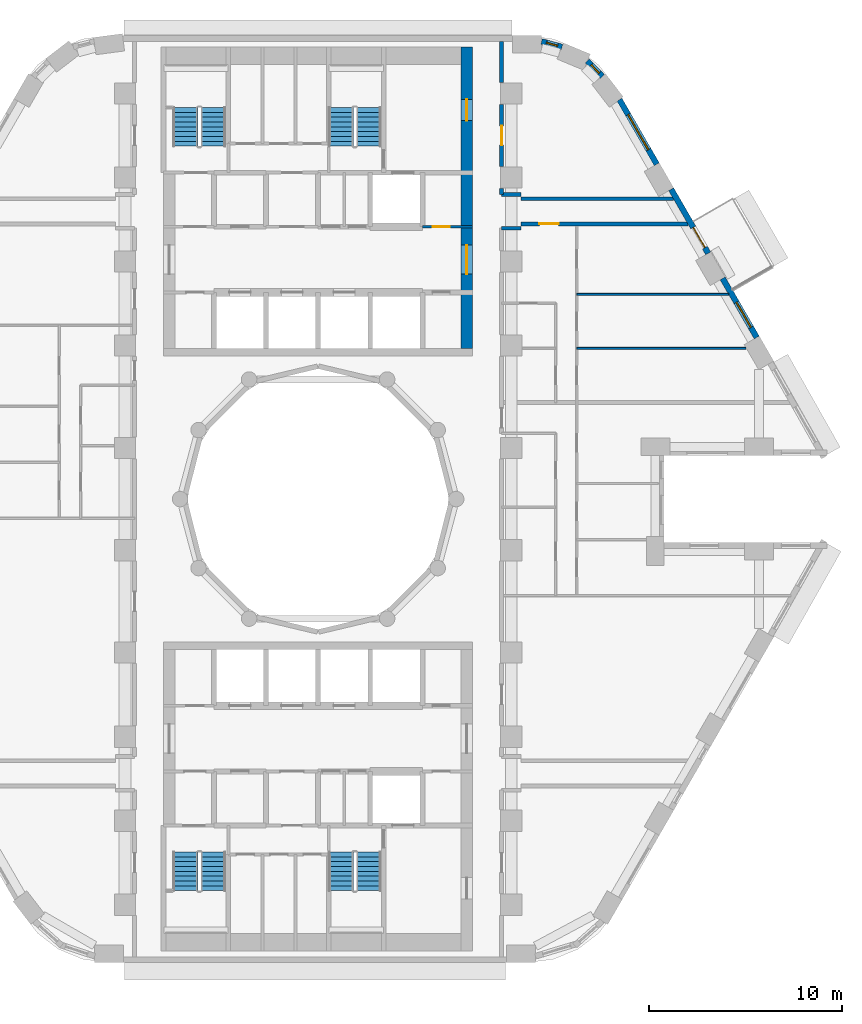
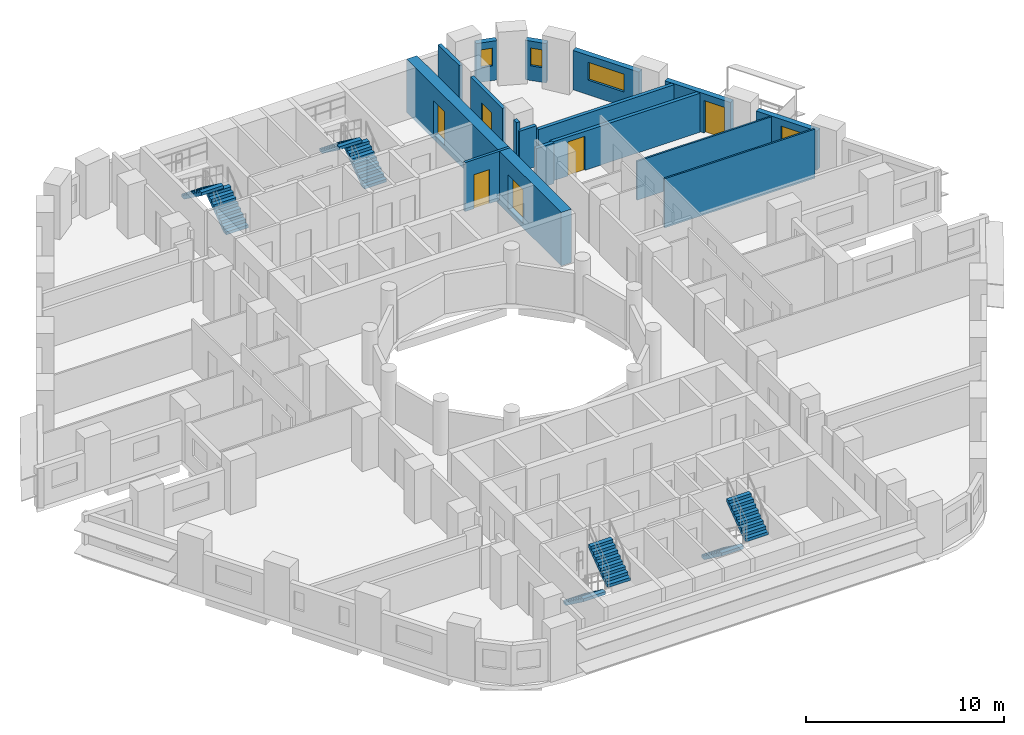
# One storey, part 9 of 13: 16 walls, 8 stair flights, 6 doors, 4 windows, 10 openings, 4 elements without a shape of their own.
"""IFC4 building model written with IfcOpenShell, lengths in metres."""

from ifc_helpers import new_model, si_unit, direction, frame, frame_2d, origin, place, context, subcontext, project, spatial, polyline, rectangle, outline, extrude, material, layer, layer_set, type_object, element, fill, aggregate, save


model = new_model("IFC4")

# Units and contexts
model_context = context("Model", 3, precision=1e-05, world=origin(), true_north=direction((0.0, 1.0)))
body_context = subcontext(model_context, "Body", "Model", "MODEL_VIEW")
ifc_project = project(units=[si_unit("LENGTHUNIT", "METRE"), si_unit("AREAUNIT", "SQUARE_METRE"), si_unit("VOLUMEUNIT", "CUBIC_METRE"), si_unit("PLANEANGLEUNIT", "RADIAN"), si_unit("MASSUNIT", "GRAM", prefix="KILO")], contexts=[model_context])

# Site, building, storey
site_placement = place(None, origin())
site = spatial("IfcSite", under=ifc_project, at=site_placement, CompositionType="ELEMENT")
building_placement = place(site_placement, origin())
building = spatial("IfcBuilding", under=site, at=building_placement, Name="Nakaniwa Court", CompositionType="ELEMENT")
storey_placement = place(building_placement, frame((0.0, 0.0, 64.5)))
storey = spatial("IfcBuildingStorey", under=building, at=storey_placement, Name="L17", CompositionType="ELEMENT", Elevation=64.5)

# Wall
ifc_material_1 = material(Name="Acoustic double stud partition")
ifc_layer_1 = layer(ifc_material_1, 0.199951171875)
ifc_layer_set_1 = layer_set([ifc_layer_1], Name="Acoustic double stud partition")
wall_type_1 = type_object("IfcWallType", Name="Acoustic double stud partition 200", PredefinedType="PARTITIONING", material=ifc_layer_set_1)
wall_1_placement = place(storey_placement, frame((89.5, 95.77197265625, 0.0), z_axis=(0.0, 0.0, 1.0), x_axis=(0.0, 1.0, 0.0)))
element("IfcWall", 1, at=wall_1_placement, inside=storey, type_object=wall_type_1, Name="Partition PW-081", PredefinedType="PARTITIONING", context=body_context, shape_type="SweptSolid", body=[
    extrude(rectangle(XDim=0.31103515625, YDim=0.199951171875, at=frame_2d((0.155517578125, 0.0))), origin(), (0.0, 0.0, 1.0), 3.02490234375),
])

# Wall, opening, door
wall_2_placement = place(storey_placement, frame((89.5, 100.43310546875, 0.0), z_axis=(0.0, 0.0, 1.0), x_axis=(0.0, -1.0, 0.0)))
wall_2 = element("IfcWall", 2, at=wall_2_placement, inside=storey, type_object=wall_type_1, Name="Partition PW-082", PredefinedType="PARTITIONING", context=body_context, shape_type="SweptSolid", body=[
    extrude(rectangle(XDim=3.216064453125, YDim=0.199951171875, at=frame_2d((1.60791015625, 0.0))), origin(), (0.0, 0.0, 1.0), 3.02490234375),
])
opening_1_placement = place(wall_2_placement, frame((1.10791015625, 0.0, 0.0)))
opening_1 = element("IfcOpeningElement", 3, at=opening_1_placement, cuts=wall_2, Name="Opening D-02-03", PredefinedType="OPENING", context=body_context, shape_type="SweptSolid", body=[
    extrude(rectangle(XDim=1.0, YDim=2.10009765625, at=frame_2d((0.5, 1.050048828125))), frame((0.0, 0.10986328125, 0.0), z_axis=(0.0, -1.0, 0.0), x_axis=(1.0, 0.0, 0.0)), (0.0, 0.0, 1.0), 0.219970703125),
])
ifc_material_2 = material(Name="Solid core timber door set, black veneer", Category="wood")
door_type_1 = type_object("IfcDoorType", Name="Internal door 1000", OperationType="NOTDEFINED", PredefinedType="DOOR", material=ifc_material_2)
door_1_placement = place(opening_1_placement, origin())
door_1 = element("IfcDoor", 4, at=door_1_placement, inside=storey, type_object=door_type_1, Name="Door D-02-03 L17-043", OperationType="SINGLE_SWING_RIGHT", OverallHeight=2.10009765625, OverallWidth=1.0, PredefinedType="DOOR", context=body_context, shape_type="SweptSolid", body=[
    extrude(rectangle(XDim=1.0, YDim=2.10009765625, at=frame_2d((0.5, 1.050048828125))), frame((0.0, 0.02490234375, 0.0), z_axis=(0.0, -1.0, 0.0), x_axis=(1.0, 0.0, 0.0)), (0.0, 0.0, 1.0), 0.050048828125),
])
fill(opening_1, door_1)

# Wall
wall_3_placement = place(storey_placement, frame((89.5, 101.56689453125, 0.0), z_axis=(0.0, 0.0, 1.0), x_axis=(0.0, 1.0, 0.0)))
element("IfcWall", 5, at=wall_3_placement, inside=storey, type_object=wall_type_1, Name="Partition PW-083", PredefinedType="PARTITIONING", context=body_context, shape_type="SweptSolid", body=[
    extrude(rectangle(XDim=2.133056640625, YDim=0.199951171875, at=frame_2d((1.06640625, 0.0))), origin(), (0.0, 0.0, 1.0), 3.02490234375),
])

# Wall, opening, door
wall_4_placement = place(storey_placement, frame((99.13916015625, 94.25, 0.0), z_axis=(0.0, 0.0, 1.0), x_axis=(-1.0, 0.0, 0.0)))
wall_4 = element("IfcWall", 6, at=wall_4_placement, inside=storey, type_object=wall_type_1, Name="Partition PW-085", PredefinedType="PARTITIONING", context=body_context, shape_type="SweptSolid", body=[
    extrude(rectangle(XDim=8.63916015625, YDim=0.199951171875, at=frame_2d((4.319580078125, 0.0))), origin(), (0.0, 0.0, 1.0), 2.405029296875),
])
opening_2_placement = place(wall_4_placement, frame((6.68896484375, 0.0, 0.0)))
opening_2 = element("IfcOpeningElement", 7, at=opening_2_placement, cuts=wall_4, Name="Opening D-01-02", PredefinedType="OPENING", context=body_context, shape_type="SweptSolid", body=[
    extrude(rectangle(XDim=1.0, YDim=2.10009765625, at=frame_2d((0.5, 1.050048828125))), frame((0.0, 0.10986328125, 0.0), z_axis=(0.0, -1.0, 0.0), x_axis=(1.0, 0.0, 0.0)), (0.0, 0.0, 1.0), 0.219970703125),
])
door_type_2 = type_object("IfcDoorType", Name="Flat entrance door 1000", OperationType="NOTDEFINED", PredefinedType="DOOR", material=ifc_material_2)
door_2_placement = place(opening_2_placement, origin())
door_2 = element("IfcDoor", 8, at=door_2_placement, inside=storey, type_object=door_type_2, Name="Door D-01-02 L17-037", OperationType="SINGLE_SWING_RIGHT", OverallHeight=2.10009765625, OverallWidth=1.0, PredefinedType="DOOR", context=body_context, shape_type="SweptSolid", body=[
    extrude(rectangle(XDim=1.0, YDim=2.10009765625, at=frame_2d((0.5, 1.050048828125))), frame((0.0, 0.02490234375, 0.0), z_axis=(0.0, -1.0, 0.0), x_axis=(1.0, 0.0, 0.0)), (0.0, 0.0, 1.0), 0.050048828125),
])
fill(opening_2, door_2)

# Walls
for number, where, z_axis, x_axis, name in (
    (9, (89.5, 94.02490234375, 0.0), (0.0, 0.0, 1.0), (1.0, 0.0, 0.0), "Partition PW-087"),
    (10, (89.5, 95.77490234375, 0.0), (0.0, 0.0, 1.0), (1.0, 0.0, 0.0), "Partition PW-089"),
):
    element("IfcWall", number, at=place(storey_placement, frame(where, z_axis=z_axis, x_axis=x_axis)), inside=storey, type_object=wall_type_1, Name=name, PredefinedType="PARTITIONING", context=body_context, shape_type="SweptSolid", body=[
        extrude(rectangle(XDim=1.0, YDim=0.199951171875, at=frame_2d((0.5, 0.0))), origin(), (0.0, 0.0, 1.0), 2.5048828125),
    ])
wall_5_placement = place(storey_placement, frame((90.5, 95.550048828125, 0.0), z_axis=(0.0, 0.0, 1.0), x_axis=(1.0, 0.0, 0.0)))
element("IfcWall", 11, at=wall_5_placement, inside=storey, type_object=wall_type_1, Name="Partition PW-091", PredefinedType="PARTITIONING", context=body_context, shape_type="SweptSolid", body=[
    extrude(rectangle(XDim=7.888671875, YDim=0.199951171875, at=frame_2d((3.9443359375, 0.0))), origin(), (0.0, 0.0, 1.0), 2.405029296875),
])

# Wall, opening, window
ifc_material_3 = material(Name="Charcoal ceramic cladding")
ifc_layer_2 = layer(ifc_material_3, 0.02, Name="Ceramic cladding")
ifc_material_4 = material(Name="Ventilated air cavity")
ifc_layer_3 = layer(ifc_material_4, 0.04, ventilated=True, Name="Ventilated cavity")
ifc_material_5 = material(Name="Mineral wool insulation")
ifc_layer_4 = layer(ifc_material_5, 0.1, Name="Insulation")
ifc_material_6 = material(Name="Cement bonded sheathing board")
ifc_layer_5 = layer(ifc_material_6, 0.012, Name="Sheathing")
ifc_material_7 = material(Name="Cold-formed galvanised stud frame with mineral wool infill")
ifc_layer_6 = layer(ifc_material_7, 0.1, Name="Stud frame")
ifc_material_8 = material(Name="Fire-rated gypsum plasterboard lining")
ifc_layer_7 = layer(ifc_material_8, 0.028, Name="Lining")
ifc_layer_set_2 = layer_set([ifc_layer_2, ifc_layer_3, ifc_layer_4, ifc_layer_5, ifc_layer_6, ifc_layer_7], Name="Charcoal ceramic faced external wall system")
wall_type_2 = type_object("IfcWallType", Name="Black ceramic faced external wall 300", PredefinedType="SOLIDWALL", material=ifc_layer_set_2)
wall_6_placement = place(storey_placement, frame((102.709716796875, 88.36572265625, 0.0), z_axis=(0.0, 0.0, 1.0), x_axis=(-0.499977402622, 0.866038449993, 0.0)))
wall_6 = element("IfcWall", 12, at=wall_6_placement, inside=storey, type_object=wall_type_2, Name="L17 external wall 03", PredefinedType="SOLIDWALL", context=body_context, shape_type="SweptSolid", body=[
    extrude(rectangle(XDim=3.536865234375, YDim=0.300048828125, at=frame_2d((1.7685546875, 0.0))), origin(), (0.0, 0.0, 1.0), 2.425048828125),
])
opening_3_placement = place(wall_6_placement, frame((0.60107421875, 0.0, 0.89990234375)))
opening_3 = element("IfcOpeningElement", 13, at=opening_3_placement, cuts=wall_6, Name="Opening W5.05", PredefinedType="OPENING", context=body_context, shape_type="SweptSolid", body=[
    extrude(rectangle(XDim=1.5, YDim=1.10009765625, at=frame_2d((0.75, 0.550048828125))), frame((0.0, 0.159912109375, 0.0), z_axis=(0.0, -1.0, 0.0), x_axis=(1.0, 0.0, 0.0)), (0.0, 0.0, 1.0), 0.320068359375),
])
ifc_material_9 = material(Name="Black anodised aluminium frame with dark low-E laminated double glazing", Category="aluminium")
window_type_1 = type_object("IfcWindowType", Name="Dark glass window 1500x1100 sill 900", PartitioningType="SINGLE_PANEL", PredefinedType="WINDOW", material=ifc_material_9)
window_1_placement = place(opening_3_placement, origin())
window_1 = element("IfcWindow", 14, at=window_1_placement, inside=storey, type_object=window_type_1, Name="L17 bedroom window 03-0", OverallHeight=1.10009765625, OverallWidth=1.5, PartitioningType="SINGLE_PANEL", PredefinedType="WINDOW", context=body_context, shape_type="SweptSolid", body=[
    extrude(rectangle(XDim=1.5, YDim=1.10009765625, at=frame_2d((0.75, 0.550048828125))), frame((0.0, 0.030029296875, 0.0), z_axis=(0.0, -1.0, 0.0), x_axis=(1.0, 0.0, 0.0)), (0.0, 0.0, 1.0), 0.06005859375),
])
fill(opening_3, window_1)

# Wall, opening, door
wall_7_placement = place(storey_placement, frame((100.1953125, 92.720703125, 0.0), z_axis=(0.0, 0.0, 1.0), x_axis=(-0.500001735503, 0.866024401789, 0.0)))
wall_7 = element("IfcWall", 15, at=wall_7_placement, inside=storey, type_object=wall_type_2, Name="L17 external wall 04", PredefinedType="SOLIDWALL", context=body_context, shape_type="SweptSolid", body=[
    extrude(rectangle(XDim=3.833984375, YDim=0.300048828125, at=frame_2d((1.9169921875, 0.0))), origin(), (0.0, 0.0, 1.0), 2.425048828125),
])
opening_4_placement = place(wall_7_placement, frame((0.343994140625, 0.0, 0.0)))
opening_4 = element("IfcOpeningElement", 16, at=opening_4_placement, cuts=wall_7, Name="Opening XD10.01", PredefinedType="OPENING", context=body_context, shape_type="SweptSolid", body=[
    extrude(rectangle(XDim=1.199951171875, YDim=2.0, at=frame_2d((0.60009765625, 1.0))), frame((0.0, 0.159912109375, 0.0), z_axis=(0.0, -1.0, 0.0), x_axis=(1.0, 0.0, 0.0)), (0.0, 0.0, 1.0), 0.320068359375),
])
ifc_material_10 = material(Name="Black powder-coated aluminium frame with dark laminated glass", Category="aluminium")
door_type_3 = type_object("IfcDoorType", Name="Balcony sliding door 1200x2000", OperationType="SLIDING_TO_LEFT", PredefinedType="DOOR", material=ifc_material_10)
door_3_placement = place(opening_4_placement, origin())
door_3 = element("IfcDoor", 17, at=door_3_placement, inside=storey, type_object=door_type_3, Name="L17 balcony sliding door 01", OperationType="SLIDING_TO_LEFT", OverallHeight=2.0, OverallWidth=1.199951171875, PredefinedType="DOOR", context=body_context, shape_type="SweptSolid", body=[
    extrude(rectangle(XDim=1.199951171875, YDim=2.0, at=frame_2d((0.60009765625, 1.0))), frame((0.0, 0.02490234375, 0.0), z_axis=(0.0, -1.0, 0.0), x_axis=(1.0, 0.0, 0.0)), (0.0, 0.0, 1.0), 0.050048828125),
])
fill(opening_4, door_3)

# Wall, opening, window
wall_8_placement = place(storey_placement, frame((97.5322265625, 97.3330078125, 0.0), z_axis=(0.0, 0.0, 1.0), x_axis=(-0.499948341072, 0.866055227026, 0.0)))
wall_8 = element("IfcWall", 18, at=wall_8_placement, inside=storey, type_object=wall_type_2, Name="L17 external wall 05", PredefinedType="SOLIDWALL", context=body_context, shape_type="SweptSolid", body=[
    extrude(rectangle(XDim=3.8671875, YDim=0.300048828125, at=frame_2d((1.93359375, 0.0))), origin(), (0.0, 0.0, 1.0), 2.425048828125),
])
opening_5_placement = place(wall_8_placement, frame((0.872314453125, 0.0, 0.89990234375)))
opening_5 = element("IfcOpeningElement", 19, at=opening_5_placement, cuts=wall_8, Name="Opening W7.06", PredefinedType="OPENING", context=body_context, shape_type="SweptSolid", body=[
    extrude(rectangle(XDim=2.10009765625, YDim=1.10009765625, at=frame_2d((1.050048828125, 0.550048828125))), frame((0.0, 0.159912109375, 0.0), z_axis=(0.0, -1.0, 0.0), x_axis=(1.0, 0.0, 0.0)), (0.0, 0.0, 1.0), 0.320068359375),
])
window_type_2 = type_object("IfcWindowType", Name="Dark glass window 2100x1100 sill 900", PartitioningType="SINGLE_PANEL", PredefinedType="WINDOW", material=ifc_material_9)
window_2_placement = place(opening_5_placement, origin())
window_2 = element("IfcWindow", 20, at=window_2_placement, inside=storey, type_object=window_type_2, Name="L17 habitable room window 05-0", OverallHeight=1.10009765625, OverallWidth=2.10009765625, PartitioningType="SINGLE_PANEL", PredefinedType="WINDOW", context=body_context, shape_type="SweptSolid", body=[
    extrude(rectangle(XDim=2.10009765625, YDim=1.10009765625, at=frame_2d((1.050048828125, 0.550048828125))), frame((0.0, 0.030029296875, 0.0), z_axis=(0.0, -1.0, 0.0), x_axis=(1.0, 0.0, 0.0)), (0.0, 0.0, 1.0), 0.06005859375),
])
fill(opening_5, window_2)

wall_9_placement = place(storey_placement, frame((94.712646484375, 101.8828125, 0.0), z_axis=(0.0, 0.0, 1.0), x_axis=(-0.696138968055, 0.717907053285, 0.0)))
wall_9 = element("IfcWall", 21, at=wall_9_placement, inside=storey, type_object=wall_type_2, Name="L17 external wall 06", PredefinedType="SOLIDWALL", context=body_context, shape_type="SweptSolid", body=[
    extrude(rectangle(XDim=1.1103515625, YDim=0.300048828125, at=frame_2d((0.55517578125, 0.0))), origin(), (0.0, 0.0, 1.0), 2.425048828125),
])
opening_6_placement = place(wall_9_placement, frame((0.230712890625, 0.0, 0.89990234375)))
opening_6 = element("IfcOpeningElement", 22, at=opening_6_placement, cuts=wall_9, Name="Opening W8.07", PredefinedType="OPENING", context=body_context, shape_type="SweptSolid", body=[
    extrude(rectangle(XDim=0.60009765625, YDim=1.10009765625, at=frame_2d((0.300048828125, 0.550048828125))), frame((0.0, 0.159912109375, 0.0), z_axis=(0.0, -1.0, 0.0), x_axis=(1.0, 0.0, 0.0)), (0.0, 0.0, 1.0), 0.320068359375),
])
window_type_3 = type_object("IfcWindowType", Name="Dark glass window 600x1100 sill 900", PartitioningType="SINGLE_PANEL", PredefinedType="WINDOW", material=ifc_material_9)
window_3_placement = place(opening_6_placement, origin())
window_3 = element("IfcWindow", 23, at=window_3_placement, inside=storey, type_object=window_type_3, Name="L17 habitable room window 06-0", OverallHeight=1.10009765625, OverallWidth=0.60009765625, PartitioningType="SINGLE_PANEL", PredefinedType="WINDOW", context=body_context, shape_type="SweptSolid", body=[
    extrude(rectangle(XDim=0.60009765625, YDim=1.10009765625, at=frame_2d((0.300048828125, 0.550048828125))), frame((0.0, 0.030029296875, 0.0), z_axis=(0.0, -1.0, 0.0), x_axis=(1.0, 0.0, 0.0)), (0.0, 0.0, 1.0), 0.06005859375),
])
fill(opening_6, window_3)

wall_10_placement = place(storey_placement, frame((92.62548828125, 103.406982421875, 0.0), z_axis=(0.0, 0.0, 1.0), x_axis=(-0.96522637192, 0.261415475728, 0.0)))
wall_10 = element("IfcWall", 24, at=wall_10_placement, inside=storey, type_object=wall_type_2, Name="L17 external wall 07", PredefinedType="SOLIDWALL", context=body_context, shape_type="SweptSolid", body=[
    extrude(rectangle(XDim=1.0927734375, YDim=0.300048828125, at=frame_2d((0.54638671875, 0.0))), origin(), (0.0, 0.0, 1.0), 2.425048828125),
])
opening_7_placement = place(wall_10_placement, frame((0.236083984375, 0.0, 0.89990234375)))
opening_7 = element("IfcOpeningElement", 25, at=opening_7_placement, cuts=wall_10, Name="Opening W8.08", PredefinedType="OPENING", context=body_context, shape_type="SweptSolid", body=[
    extrude(rectangle(XDim=0.60009765625, YDim=1.10009765625, at=frame_2d((0.300048828125, 0.550048828125))), frame((0.0, 0.159912109375, 0.0), z_axis=(0.0, -1.0, 0.0), x_axis=(1.0, 0.0, 0.0)), (0.0, 0.0, 1.0), 0.320068359375),
])
window_4_placement = place(opening_7_placement, origin())
window_4 = element("IfcWindow", 26, at=window_4_placement, inside=storey, type_object=window_type_3, Name="L17 habitable room window 07-0", OverallHeight=1.10009765625, OverallWidth=0.60009765625, PartitioningType="SINGLE_PANEL", PredefinedType="WINDOW", context=body_context, shape_type="SweptSolid", body=[
    extrude(rectangle(XDim=0.60009765625, YDim=1.10009765625, at=frame_2d((0.300048828125, 0.550048828125))), frame((0.0, 0.030029296875, 0.0), z_axis=(0.0, -1.0, 0.0), x_axis=(1.0, 0.0, 0.0)), (0.0, 0.0, 1.0), 0.06005859375),
])
fill(opening_7, window_4)

# Wall, opening, door
ifc_material_11 = material(Name="Blockwork partition", Category="masonry")
ifc_layer_8 = layer(ifc_material_11, 0.14990234375)
ifc_layer_set_3 = layer_set([ifc_layer_8], Name="Blockwork partition")
wall_type_3 = type_object("IfcWallType", Name="Blockwork partition 150", PredefinedType="PARTITIONING", material=ifc_layer_set_3)
wall_11_placement = place(storey_placement, frame((85.39697265625, 94.10009765625, 0.0), z_axis=(0.0, 0.0, 1.0), x_axis=(1.0, 0.0, 0.0)))
wall_11 = element("IfcWall", 27, at=wall_11_placement, inside=storey, type_object=wall_type_3, Name="Partition PW-018", PredefinedType="PARTITIONING", context=body_context, shape_type="SweptSolid", body=[
    extrude(rectangle(XDim=2.60302734375, YDim=0.14990234375, at=frame_2d((1.301513671875, 0.0))), origin(), (0.0, 0.0, 1.0), 3.02490234375),
])
opening_8_placement = place(wall_11_placement, frame((0.528076171875, 0.0, 0.0)))
opening_8 = element("IfcOpeningElement", 28, at=opening_8_placement, cuts=wall_11, Name="Opening D-05-06", PredefinedType="OPENING", context=body_context, shape_type="SweptSolid", body=[
    extrude(rectangle(XDim=0.89990234375, YDim=2.10009765625, at=frame_2d((0.449951171875, 1.050048828125))), frame((0.0, 0.0849609375, 0.0), z_axis=(0.0, -1.0, 0.0), x_axis=(1.0, 0.0, 0.0)), (0.0, 0.0, 1.0), 0.169921875),
])
ifc_material_12 = material(Name="Fire rated steel door set", Category="steel")
door_type_4 = type_object("IfcDoorType", Name="Service room door 900", OperationType="NOTDEFINED", PredefinedType="DOOR", material=ifc_material_12)
door_4_placement = place(opening_8_placement, origin())
door_4 = element("IfcDoor", 29, at=door_4_placement, inside=storey, type_object=door_type_4, Name="Door D-05-06 L17-008", OperationType="SINGLE_SWING_LEFT", OverallHeight=2.10009765625, OverallWidth=0.89990234375, PredefinedType="DOOR", context=body_context, shape_type="SweptSolid", body=[
    extrude(rectangle(XDim=0.89990234375, YDim=2.10009765625, at=frame_2d((0.449951171875, 1.050048828125))), frame((0.0, 0.02490234375, 0.0), z_axis=(0.0, -1.0, 0.0), x_axis=(1.0, 0.0, 0.0)), (0.0, 0.0, 1.0), 0.050048828125),
])
fill(opening_8, door_4)

# Wall, openings, doors
ifc_material_13 = material(Name="Concrete C100/115", Category="concrete")
ifc_layer_9 = layer(ifc_material_13, 0.60009765625)
ifc_layer_set_4 = layer_set([ifc_layer_9], Name="Concrete C100/115")
wall_type_4 = type_object("IfcWallType", Name="Concrete core side wall 600 C100", PredefinedType="SHEAR", material=ifc_layer_set_4)
wall_12_placement = place(storey_placement, frame((87.699951171875, 103.39990234375, -0.27490234375), z_axis=(0.0, 0.0, 1.0), x_axis=(0.0, -1.0, 0.0)))
wall_12 = element("IfcWall", 30, at=wall_12_placement, inside=storey, type_object=wall_type_4, Name="Core wall SW-15", PredefinedType="SHEAR", context=body_context, shape_type="SweptSolid", body=[
    extrude(rectangle(XDim=15.599853515625, YDim=0.60009765625, at=frame_2d((7.7998046875, 0.0))), origin(), (0.0, 0.0, 1.0), 3.2998046875),
])
opening_9_placement = place(wall_12_placement, frame((10.25, 0.0, 0.27490234375)))
opening_9 = element("IfcOpeningElement", 31, at=opening_9_placement, cuts=wall_12, Name="Opening D-07-01", PredefinedType="OPENING", context=body_context, shape_type="SweptSolid", body=[
    extrude(rectangle(XDim=1.5, YDim=2.10009765625, at=frame_2d((0.75, 1.050048828125))), frame((0.0, 0.31005859375, 0.0), z_axis=(0.0, -1.0, 0.0), x_axis=(1.0, 0.0, 0.0)), (0.0, 0.0, 1.0), 0.6201171875),
])
opening_10_placement = place(wall_12_placement, frame((2.699951171875, 0.0, 0.27490234375)))
opening_10 = element("IfcOpeningElement", 32, at=opening_10_placement, cuts=wall_12, Name="Opening D-10-01", PredefinedType="OPENING", context=body_context, shape_type="SweptSolid", body=[
    extrude(rectangle(XDim=1.10009765625, YDim=2.10009765625, at=frame_2d((0.550048828125, 1.050048828125))), frame((0.0, 0.31005859375, 0.0), z_axis=(0.0, -1.0, 0.0), x_axis=(1.0, 0.0, 0.0)), (0.0, 0.0, 1.0), 0.6201171875),
])
door_type_5 = type_object("IfcDoorType", Name="Firefighting lobby door 1100", OperationType="NOTDEFINED", PredefinedType="DOOR", material=ifc_material_12)
door_5_placement = place(opening_10_placement, origin())
door_5 = element("IfcDoor", 33, at=door_5_placement, inside=storey, type_object=door_type_5, Name="Door D-10-01 L17-056", OperationType="SINGLE_SWING_LEFT", OverallHeight=2.10009765625, OverallWidth=1.10009765625, PredefinedType="DOOR", context=body_context, shape_type="SweptSolid", body=[
    extrude(rectangle(XDim=1.10009765625, YDim=2.10009765625, at=frame_2d((0.550048828125, 1.050048828125))), frame((0.0, 0.02490234375, 0.0), z_axis=(0.0, -1.0, 0.0), x_axis=(1.0, 0.0, 0.0)), (0.0, 0.0, 1.0), 0.050048828125),
])
fill(opening_10, door_5)
ifc_material_14 = material(Name="Glazed fire rated steel double door set", Category="steel")
door_type_6 = type_object("IfcDoorType", Name="Lobby double door 1500", OperationType="NOTDEFINED", PredefinedType="DOOR", material=ifc_material_14)
door_6_placement = place(opening_9_placement, origin())
door_6 = element("IfcDoor", 34, at=door_6_placement, inside=storey, type_object=door_type_6, Name="Door D-07-01 L17-054", OperationType="DOUBLE_DOOR_SINGLE_SWING", OverallHeight=2.10009765625, OverallWidth=1.5, PredefinedType="DOOR", context=body_context, shape_type="SweptSolid", body=[
    extrude(rectangle(XDim=1.5, YDim=2.10009765625, at=frame_2d((0.75, 1.050048828125))), frame((0.0, 0.02490234375, 0.0), z_axis=(0.0, -1.0, 0.0), x_axis=(1.0, 0.0, 0.0)), (0.0, 0.0, 1.0), 0.050048828125),
])
fill(opening_9, door_6)

# Walls
ifc_material_15 = material(Name="Single stud plasterboard partition")
ifc_layer_10 = layer(ifc_material_15, 0.10009765625)
ifc_layer_set_5 = layer_set([ifc_layer_10], Name="Single stud plasterboard partition")
wall_type_5 = type_object("IfcWallType", Name="Single stud plasterboard partition 100", PredefinedType="PARTITIONING", material=ifc_layer_set_5)
wall_13_placement = place(storey_placement, frame((93.39990234375, 87.800048828125, 0.0), z_axis=(0.0, 0.0, 1.0), x_axis=(1.0, 0.0, 0.0)))
element("IfcWall", 35, at=wall_13_placement, inside=storey, type_object=wall_type_5, Name="Partition PW-124", PredefinedType="PARTITIONING", context=body_context, shape_type="SweptSolid", body=[
    extrude(rectangle(XDim=8.747314453125, YDim=0.10009765625, at=frame_2d((4.37353515625, 0.0))), origin(), (0.0, 0.0, 1.0), 3.02490234375),
])
wall_14_placement = place(storey_placement, frame((93.39990234375, 90.60009765625, 0.0), z_axis=(0.0, 0.0, 1.0), x_axis=(1.0, 0.0, 0.0)))
element("IfcWall", 36, at=wall_14_placement, inside=storey, type_object=wall_type_5, Name="Partition PW-125", PredefinedType="PARTITIONING", context=body_context, shape_type="SweptSolid", body=[
    extrude(rectangle(XDim=7.846435546875, YDim=0.10009765625, at=frame_2d((3.92333984375, 0.0))), origin(), (0.0, 0.0, 1.0), 2.405029296875),
])

# Stair, stair flights
ifc_material_16 = material(Name="Concrete C80/100", Category="concrete")
stair_type = type_object("IfcStairType", Name="Dog leg stair 1300 wide 18 risers", PredefinedType="HALF_TURN_STAIR", material=ifc_material_16)
stair_1_placement = place(storey_placement, origin())
stair_1 = element("IfcStair", 37, at=stair_1_placement, inside=storey, type_object=stair_type, Name="L17 Stair ST1", PredefinedType="HALF_TURN_STAIR")
stair_flight_type = type_object("IfcStairFlightType", Name="Stair flight 1300 wide 9 risers", PredefinedType="STRAIGHT", material=ifc_material_16)
stair_flight_1_placement = place(storey_placement, frame((74.574951171875, 98.27490234375, 0.0), z_axis=(0.0, 0.0, 1.0), x_axis=(0.0, 1.0, 0.0)))
stair_flight_1 = element("IfcStairFlight", 38, at=stair_flight_1_placement, type_object=stair_flight_type, Name="ST1 flight 1", NumberOfRisers=9, NumberOfTreads=8, PredefinedType="STRAIGHT", RiserHeight=0.183333333, TreadLength=0.25, context=body_context, shape_type="SweptSolid", body=[
    extrude(outline(polyline([(0.0, 0.0), (0.0, 0.026123046875), (0.0, 0.052490234375), (0.0, 0.07861328125), (0.0, 0.104736328125), (0.0, 0.130859375), (0.0, 0.1572265625), (0.0, 0.183349609375), (0.25, 0.183349609375), (0.25, 0.36669921875), (0.5, 0.36669921875), (0.5, 0.550048828125), (0.75, 0.550048828125), (0.75, 0.7333984375), (1.0, 0.7333984375), (1.0, 0.916748046875), (1.25, 0.916748046875), (1.25, 1.10009765625), (1.5, 1.10009765625), (1.5, 1.283447265625), (1.75, 1.283447265625), (1.75, 1.466552734375), (2.0, 1.466552734375), (2.0, 1.64990234375), (2.0, 1.59716796875), (2.0, 1.54443359375), (2.0, 1.49169921875), (2.0, 1.43896484375), (2.0, 1.38623046875), (2.0, 1.33349609375), (2.0, 1.28076171875), (0.25341796875, 0.0), (0.0, 0.0)])), frame((0.0, 0.64990234375, 0.0), z_axis=(0.0, -1.0, 0.0), x_axis=(1.0, 0.0, 0.0)), (0.0, 0.0, 1.0), 1.300048828125),
])
stair_flight_2_placement = place(storey_placement, frame((73.125, 100.27490234375, 1.64990234375), z_axis=(0.0, 0.0, 1.0), x_axis=(0.0, -1.0, 0.0)))
stair_flight_2 = element("IfcStairFlight", 39, at=stair_flight_2_placement, type_object=stair_flight_type, Name="ST1 flight 2", NumberOfRisers=9, NumberOfTreads=8, PredefinedType="STRAIGHT", RiserHeight=0.183333333, TreadLength=0.25, context=body_context, shape_type="SweptSolid", body=[
    extrude(outline(polyline([(0.0, 0.0), (0.0, 0.026123046875), (0.0, 0.052490234375), (0.0, 0.07861328125), (0.0, 0.104736328125), (0.0, 0.130859375), (0.0, 0.1572265625), (0.0, 0.183349609375), (0.25, 0.183349609375), (0.25, 0.36669921875), (0.5, 0.36669921875), (0.5, 0.550048828125), (0.75, 0.550048828125), (0.75, 0.7333984375), (1.0, 0.7333984375), (1.0, 0.916748046875), (1.25, 0.916748046875), (1.25, 1.10009765625), (1.5, 1.10009765625), (1.5, 1.283447265625), (1.75, 1.283447265625), (1.75, 1.466552734375), (2.0, 1.466552734375), (2.0, 1.64990234375), (2.0, 1.59716796875), (2.0, 1.54443359375), (2.0, 1.49169921875), (2.0, 1.43896484375), (2.0, 1.38623046875), (2.0, 1.33349609375), (2.0, 1.28076171875), (0.25341796875, 0.0), (0.0, 0.0)])), frame((0.0, 0.64990234375, 0.0), z_axis=(0.0, -1.0, 0.0), x_axis=(1.0, 0.0, 0.0)), (0.0, 0.0, 1.0), 1.300048828125),
])
aggregate(stair_1, [stair_flight_1, stair_flight_2])

stair_2_placement = place(storey_placement, origin())
stair_2 = element("IfcStair", 40, at=stair_2_placement, inside=storey, type_object=stair_type, Name="L17 Stair ST2", PredefinedType="HALF_TURN_STAIR")
stair_flight_3_placement = place(storey_placement, frame((82.625, 98.27490234375, 0.0), z_axis=(0.0, 0.0, 1.0), x_axis=(0.0, 1.0, 0.0)))
stair_flight_3 = element("IfcStairFlight", 41, at=stair_flight_3_placement, type_object=stair_flight_type, Name="ST2 flight 1", NumberOfRisers=9, NumberOfTreads=8, PredefinedType="STRAIGHT", RiserHeight=0.183333333, TreadLength=0.25, context=body_context, shape_type="SweptSolid", body=[
    extrude(outline(polyline([(0.0, 0.0), (0.0, 0.026123046875), (0.0, 0.052490234375), (0.0, 0.07861328125), (0.0, 0.104736328125), (0.0, 0.130859375), (0.0, 0.1572265625), (0.0, 0.183349609375), (0.25, 0.183349609375), (0.25, 0.36669921875), (0.5, 0.36669921875), (0.5, 0.550048828125), (0.75, 0.550048828125), (0.75, 0.7333984375), (1.0, 0.7333984375), (1.0, 0.916748046875), (1.25, 0.916748046875), (1.25, 1.10009765625), (1.5, 1.10009765625), (1.5, 1.283447265625), (1.75, 1.283447265625), (1.75, 1.466552734375), (2.0, 1.466552734375), (2.0, 1.64990234375), (2.0, 1.59716796875), (2.0, 1.54443359375), (2.0, 1.49169921875), (2.0, 1.43896484375), (2.0, 1.38623046875), (2.0, 1.33349609375), (2.0, 1.28076171875), (0.25341796875, 0.0), (0.0, 0.0)])), frame((0.0, 0.64990234375, 0.0), z_axis=(0.0, -1.0, 0.0), x_axis=(1.0, 0.0, 0.0)), (0.0, 0.0, 1.0), 1.300048828125),
])
stair_flight_4_placement = place(storey_placement, frame((81.175048828125, 100.27490234375, 1.64990234375), z_axis=(0.0, 0.0, 1.0), x_axis=(0.0, -1.0, 0.0)))
stair_flight_4 = element("IfcStairFlight", 42, at=stair_flight_4_placement, type_object=stair_flight_type, Name="ST2 flight 2", NumberOfRisers=9, NumberOfTreads=8, PredefinedType="STRAIGHT", RiserHeight=0.183333333, TreadLength=0.25, context=body_context, shape_type="SweptSolid", body=[
    extrude(outline(polyline([(0.0, 0.0), (0.0, 0.026123046875), (0.0, 0.052490234375), (0.0, 0.07861328125), (0.0, 0.104736328125), (0.0, 0.130859375), (0.0, 0.1572265625), (0.0, 0.183349609375), (0.25, 0.183349609375), (0.25, 0.36669921875), (0.5, 0.36669921875), (0.5, 0.550048828125), (0.75, 0.550048828125), (0.75, 0.7333984375), (1.0, 0.7333984375), (1.0, 0.916748046875), (1.25, 0.916748046875), (1.25, 1.10009765625), (1.5, 1.10009765625), (1.5, 1.283447265625), (1.75, 1.283447265625), (1.75, 1.466552734375), (2.0, 1.466552734375), (2.0, 1.64990234375), (2.0, 1.59716796875), (2.0, 1.54443359375), (2.0, 1.49169921875), (2.0, 1.43896484375), (2.0, 1.38623046875), (2.0, 1.33349609375), (2.0, 1.28076171875), (0.25341796875, 0.0), (0.0, 0.0)])), frame((0.0, 0.64990234375, 0.0), z_axis=(0.0, -1.0, 0.0), x_axis=(1.0, 0.0, 0.0)), (0.0, 0.0, 1.0), 1.300048828125),
])
aggregate(stair_2, [stair_flight_3, stair_flight_4])

stair_3_placement = place(storey_placement, origin())
stair_3 = element("IfcStair", 43, at=stair_3_placement, inside=storey, type_object=stair_type, Name="L17 Stair ST3", PredefinedType="HALF_TURN_STAIR")
stair_flight_5_placement = place(storey_placement, frame((73.125, 61.72509765625, 0.0), z_axis=(0.0, 0.0, 1.0), x_axis=(0.0, -1.0, 0.0)))
stair_flight_5 = element("IfcStairFlight", 44, at=stair_flight_5_placement, type_object=stair_flight_type, Name="ST3 flight 1", NumberOfRisers=9, NumberOfTreads=8, PredefinedType="STRAIGHT", RiserHeight=0.183333333, TreadLength=0.25, context=body_context, shape_type="SweptSolid", body=[
    extrude(outline(polyline([(0.0, 0.0), (0.0, 0.026123046875), (0.0, 0.052490234375), (0.0, 0.07861328125), (0.0, 0.104736328125), (0.0, 0.130859375), (0.0, 0.1572265625), (0.0, 0.183349609375), (0.25, 0.183349609375), (0.25, 0.36669921875), (0.5, 0.36669921875), (0.5, 0.550048828125), (0.75, 0.550048828125), (0.75, 0.7333984375), (1.0, 0.7333984375), (1.0, 0.916748046875), (1.25, 0.916748046875), (1.25, 1.10009765625), (1.5, 1.10009765625), (1.5, 1.283447265625), (1.75, 1.283447265625), (1.75, 1.466552734375), (2.0, 1.466552734375), (2.0, 1.64990234375), (2.0, 1.59716796875), (2.0, 1.54443359375), (2.0, 1.49169921875), (2.0, 1.43896484375), (2.0, 1.38623046875), (2.0, 1.33349609375), (2.0, 1.28076171875), (0.25341796875, 0.0), (0.0, 0.0)])), frame((0.0, 0.64990234375, 0.0), z_axis=(0.0, -1.0, 0.0), x_axis=(1.0, 0.0, 0.0)), (0.0, 0.0, 1.0), 1.300048828125),
])
stair_flight_6_placement = place(storey_placement, frame((74.574951171875, 59.72509765625, 1.64990234375), z_axis=(0.0, 0.0, 1.0), x_axis=(0.0, 1.0, 0.0)))
stair_flight_6 = element("IfcStairFlight", 45, at=stair_flight_6_placement, type_object=stair_flight_type, Name="ST3 flight 2", NumberOfRisers=9, NumberOfTreads=8, PredefinedType="STRAIGHT", RiserHeight=0.183333333, TreadLength=0.25, context=body_context, shape_type="SweptSolid", body=[
    extrude(outline(polyline([(0.0, 0.0), (0.0, 0.026123046875), (0.0, 0.052490234375), (0.0, 0.07861328125), (0.0, 0.104736328125), (0.0, 0.130859375), (0.0, 0.1572265625), (0.0, 0.183349609375), (0.25, 0.183349609375), (0.25, 0.36669921875), (0.5, 0.36669921875), (0.5, 0.550048828125), (0.75, 0.550048828125), (0.75, 0.7333984375), (1.0, 0.7333984375), (1.0, 0.916748046875), (1.25, 0.916748046875), (1.25, 1.10009765625), (1.5, 1.10009765625), (1.5, 1.283447265625), (1.75, 1.283447265625), (1.75, 1.466552734375), (2.0, 1.466552734375), (2.0, 1.64990234375), (2.0, 1.59716796875), (2.0, 1.54443359375), (2.0, 1.49169921875), (2.0, 1.43896484375), (2.0, 1.38623046875), (2.0, 1.33349609375), (2.0, 1.28076171875), (0.25341796875, 0.0), (0.0, 0.0)])), frame((0.0, 0.64990234375, 0.0), z_axis=(0.0, -1.0, 0.0), x_axis=(1.0, 0.0, 0.0)), (0.0, 0.0, 1.0), 1.300048828125),
])
aggregate(stair_3, [stair_flight_5, stair_flight_6])

stair_4_placement = place(storey_placement, origin())
stair_4 = element("IfcStair", 46, at=stair_4_placement, inside=storey, type_object=stair_type, Name="L17 Stair ST4", PredefinedType="HALF_TURN_STAIR")
stair_flight_7_placement = place(storey_placement, frame((81.175048828125, 61.72509765625, 0.0), z_axis=(0.0, 0.0, 1.0), x_axis=(0.0, -1.0, 0.0)))
stair_flight_7 = element("IfcStairFlight", 47, at=stair_flight_7_placement, type_object=stair_flight_type, Name="ST4 flight 1", NumberOfRisers=9, NumberOfTreads=8, PredefinedType="STRAIGHT", RiserHeight=0.183333333, TreadLength=0.25, context=body_context, shape_type="SweptSolid", body=[
    extrude(outline(polyline([(0.0, 0.0), (0.0, 0.026123046875), (0.0, 0.052490234375), (0.0, 0.07861328125), (0.0, 0.104736328125), (0.0, 0.130859375), (0.0, 0.1572265625), (0.0, 0.183349609375), (0.25, 0.183349609375), (0.25, 0.36669921875), (0.5, 0.36669921875), (0.5, 0.550048828125), (0.75, 0.550048828125), (0.75, 0.7333984375), (1.0, 0.7333984375), (1.0, 0.916748046875), (1.25, 0.916748046875), (1.25, 1.10009765625), (1.5, 1.10009765625), (1.5, 1.283447265625), (1.75, 1.283447265625), (1.75, 1.466552734375), (2.0, 1.466552734375), (2.0, 1.64990234375), (2.0, 1.59716796875), (2.0, 1.54443359375), (2.0, 1.49169921875), (2.0, 1.43896484375), (2.0, 1.38623046875), (2.0, 1.33349609375), (2.0, 1.28076171875), (0.25341796875, 0.0), (0.0, 0.0)])), frame((0.0, 0.64990234375, 0.0), z_axis=(0.0, -1.0, 0.0), x_axis=(1.0, 0.0, 0.0)), (0.0, 0.0, 1.0), 1.300048828125),
])
stair_flight_8_placement = place(storey_placement, frame((82.625, 59.72509765625, 1.64990234375), z_axis=(0.0, 0.0, 1.0), x_axis=(0.0, 1.0, 0.0)))
stair_flight_8 = element("IfcStairFlight", 48, at=stair_flight_8_placement, type_object=stair_flight_type, Name="ST4 flight 2", NumberOfRisers=9, NumberOfTreads=8, PredefinedType="STRAIGHT", RiserHeight=0.183333333, TreadLength=0.25, context=body_context, shape_type="SweptSolid", body=[
    extrude(outline(polyline([(0.0, 0.0), (0.0, 0.026123046875), (0.0, 0.052490234375), (0.0, 0.07861328125), (0.0, 0.104736328125), (0.0, 0.130859375), (0.0, 0.1572265625), (0.0, 0.183349609375), (0.25, 0.183349609375), (0.25, 0.36669921875), (0.5, 0.36669921875), (0.5, 0.550048828125), (0.75, 0.550048828125), (0.75, 0.7333984375), (1.0, 0.7333984375), (1.0, 0.916748046875), (1.25, 0.916748046875), (1.25, 1.10009765625), (1.5, 1.10009765625), (1.5, 1.283447265625), (1.75, 1.283447265625), (1.75, 1.466552734375), (2.0, 1.466552734375), (2.0, 1.64990234375), (2.0, 1.59716796875), (2.0, 1.54443359375), (2.0, 1.49169921875), (2.0, 1.43896484375), (2.0, 1.38623046875), (2.0, 1.33349609375), (2.0, 1.28076171875), (0.25341796875, 0.0), (0.0, 0.0)])), frame((0.0, 0.64990234375, 0.0), z_axis=(0.0, -1.0, 0.0), x_axis=(1.0, 0.0, 0.0)), (0.0, 0.0, 1.0), 1.300048828125),
])
aggregate(stair_4, [stair_flight_7, stair_flight_8])

save(model, "model.ifc")
